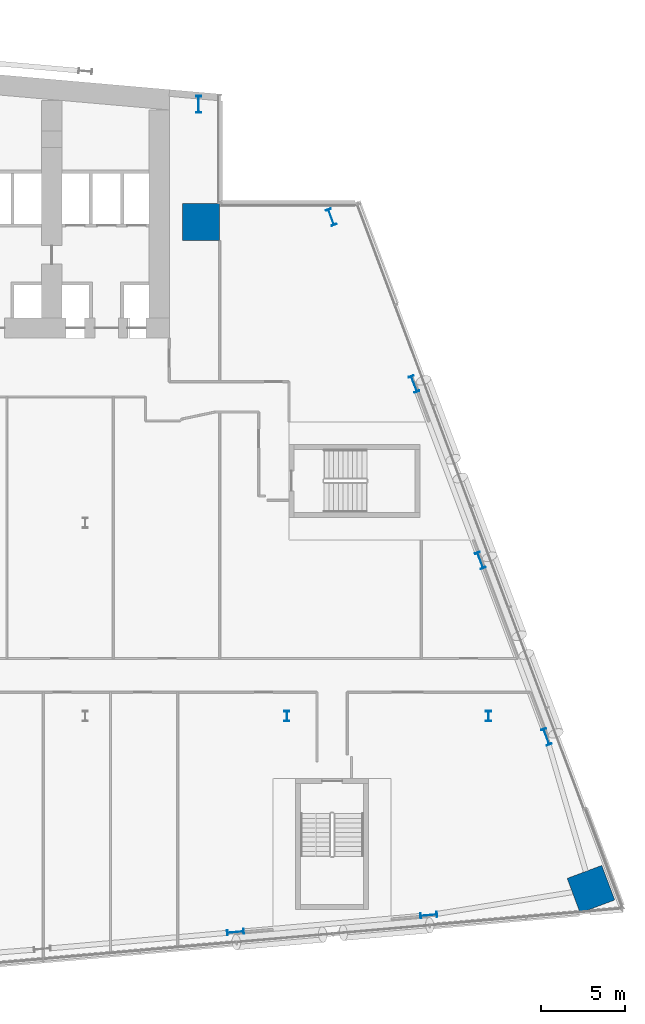
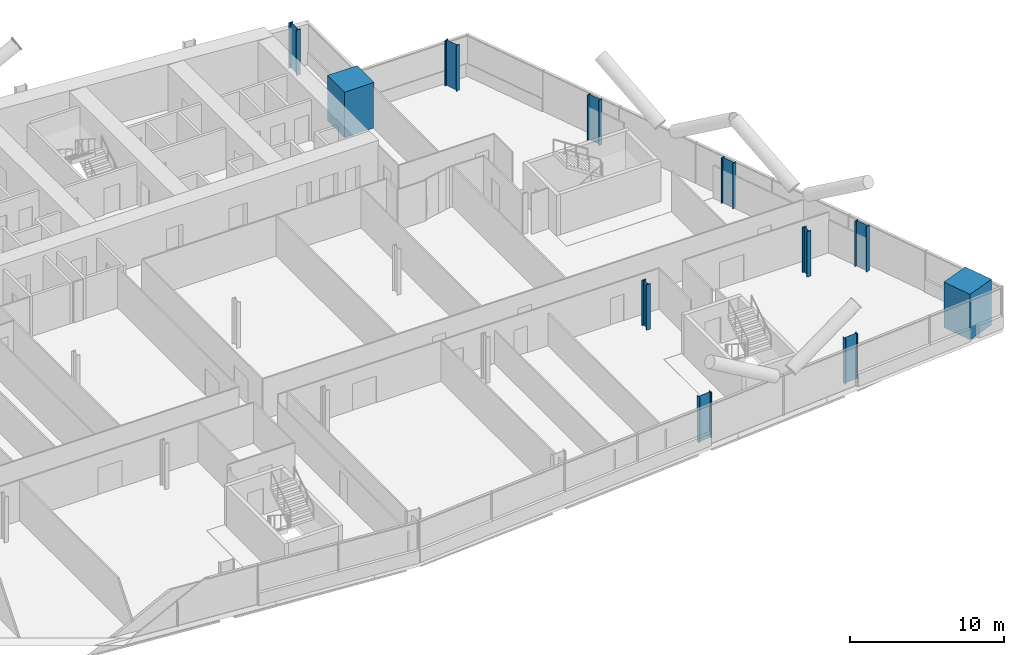
# One storey, part 3 of 27: 11 columns.
"""IFC4 building model written with IfcOpenShell, lengths in metres."""

from ifc_helpers import new_model, si_unit, direction, frame, origin, origin_2d, place, context, subcontext, project, spatial, rectangle, i_section, extrude, material, material_profile, profile_set, type_object, element, save


model = new_model("IFC4")

# Units and contexts
model_context = context("Model", 3, precision=1e-05, world=origin(), true_north=direction((0.0, 1.0)))
body_context = subcontext(model_context, "Body", "Model", "MODEL_VIEW")
ifc_project = project(units=[si_unit("LENGTHUNIT", "METRE"), si_unit("AREAUNIT", "SQUARE_METRE"), si_unit("VOLUMEUNIT", "CUBIC_METRE"), si_unit("PLANEANGLEUNIT", "RADIAN"), si_unit("MASSUNIT", "GRAM", prefix="KILO")], contexts=[model_context])

# Site, building, storey
site_placement = place(None, origin())
site = spatial("IfcSite", under=ifc_project, at=site_placement, CompositionType="ELEMENT")
building_placement = place(site_placement, origin())
building = spatial("IfcBuilding", under=site, at=building_placement, Name="Wharfspan Tower", CompositionType="ELEMENT")
storey_placement = place(building_placement, frame((0.0, 0.0, 84.699951)))
storey = spatial("IfcBuildingStorey", under=building, at=storey_placement, Name="L18", CompositionType="ELEMENT", Elevation=84.699951)

# Columns
ifc_material_1 = material(Name="Steel S355J2", Category="steel")
ifc_material_profile_1 = material_profile(ifc_material_1, i_section(OverallWidth=0.302002, OverallDepth=1.008057, WebThickness=0.020996, FlangeThickness=0.040039, FilletRadius=0.030029, at=origin_2d()))
ifc_profile_set_1 = profile_set([ifc_material_profile_1], Name="Steel S355J2")
column_type_1 = type_object("IfcColumnType", Name="Column HEM 1000", PredefinedType="COLUMN", material=ifc_profile_set_1)
for number, where, z_axis, x_axis, name in (
    (1, (68.942383, -1.354736, 0.0), (0.0, 0.0, 1.0), (0.087156, -0.996198, 0.0), "Perimeter column PS2.2 L18"),
    (2, (80.442383, -0.348633, 0.0), (0.0, 0.0, 1.0), (0.087156, -0.996198, 0.0), "Perimeter column PS2.3 L18"),
    (3, (87.44458, 10.268311, 0.0), (0.0, 0.0, 1.0), (0.936328, 0.351123, 0.0), "Perimeter column PE.1 L18"),
    (4, (83.50708, 20.768311, 0.0), (0.0, 0.0, 1.0), (0.936328, 0.351123, 0.0), "Perimeter column PE.2 L18"),
    (5, (79.56958, 31.268311, 0.0), (0.0, 0.0, 1.0), (0.936328, 0.351123, 0.0), "Perimeter column PE.3 L18"),
    (6, (74.634277, 41.196289, 0.0), (0.0, 0.0, 1.0), (0.936328, 0.351123, 0.0), "Perimeter column PE.4 L18"),
    (7, (66.747803, 47.915283, 0.0), (0.0, 0.0, 1.0), (1.0, 0.0, 0.0), "Perimeter column PNRE-V.1 L18"),
):
    element("IfcColumn", number, at=place(storey_placement, frame(where, z_axis=z_axis, x_axis=x_axis)), inside=storey, type_object=column_type_1, Name=name, PredefinedType="COLUMN", context=body_context, shape_type="SweptSolid", body=[
        extrude(i_section(OverallWidth=0.302002, OverallDepth=1.008057, WebThickness=0.020996, FlangeThickness=0.040039, FilletRadius=0.030029, at=origin_2d()), origin(), (0.0, 0.0, 1.0), 3.600098),
    ])
ifc_material_profile_2 = material_profile(ifc_material_1, i_section(OverallWidth=0.304932, OverallDepth=0.620117, WebThickness=0.020996, FlangeThickness=0.040039, FilletRadius=0.0271, at=origin_2d()))
ifc_profile_set_2 = profile_set([ifc_material_profile_2], Name="Steel S355J2")
column_type_2 = type_object("IfcColumnType", Name="Column HEM 600", PredefinedType="COLUMN", material=ifc_profile_set_2)
for number, where, z_axis, x_axis, name in (
    (8, (72.0, 11.5, 0.0), (0.0, 0.0, 1.0), (1.0, 0.0, 0.0), "Interior column I.1.6 L18"),
    (9, (84.0, 11.5, 0.0), (0.0, 0.0, 1.0), (1.0, 0.0, 0.0), "Interior column I.1.7 L18"),
):
    element("IfcColumn", number, at=place(storey_placement, frame(where, z_axis=z_axis, x_axis=x_axis)), inside=storey, type_object=column_type_2, Name=name, PredefinedType="COLUMN", context=body_context, shape_type="SweptSolid", body=[
        extrude(i_section(OverallWidth=0.304932, OverallDepth=0.620117, WebThickness=0.020996, FlangeThickness=0.040039, FilletRadius=0.0271, at=origin_2d()), origin(), (0.0, 0.0, 1.0), 3.600098),
    ])
ifc_material_2 = material(Name="Concrete C70/85", Category="concrete")
ifc_material_profile_3 = material_profile(ifc_material_2, rectangle(XDim=2.199951, YDim=2.199951, at=origin_2d()))
ifc_profile_set_3 = profile_set([ifc_material_profile_3], Name="Concrete C70/85")
column_type_3 = type_object("IfcColumnType", Name="Mega column 2200 C70/85", PredefinedType="COLUMN", material=ifc_profile_set_3)
for number, where, z_axis, x_axis, name in (
    (10, (66.899902, 40.899902, 0.0), (0.0, 0.0, 1.0), (1.0, 0.0, 0.0), "Mega column MC3 L18"),
    (11, (90.096436, 1.199707, 0.0), (0.0, 0.0, 1.0), (-0.351123, 0.936328, 0.0), "Mega column MC4 L18"),
):
    element("IfcColumn", number, at=place(storey_placement, frame(where, z_axis=z_axis, x_axis=x_axis)), inside=storey, type_object=column_type_3, Name=name, PredefinedType="COLUMN", context=body_context, shape_type="SweptSolid", body=[
        extrude(rectangle(XDim=2.199951, YDim=2.199951, at=origin_2d()), origin(), (0.0, 0.0, 1.0), 3.600098),
    ])

save(model, "model.ifc")
